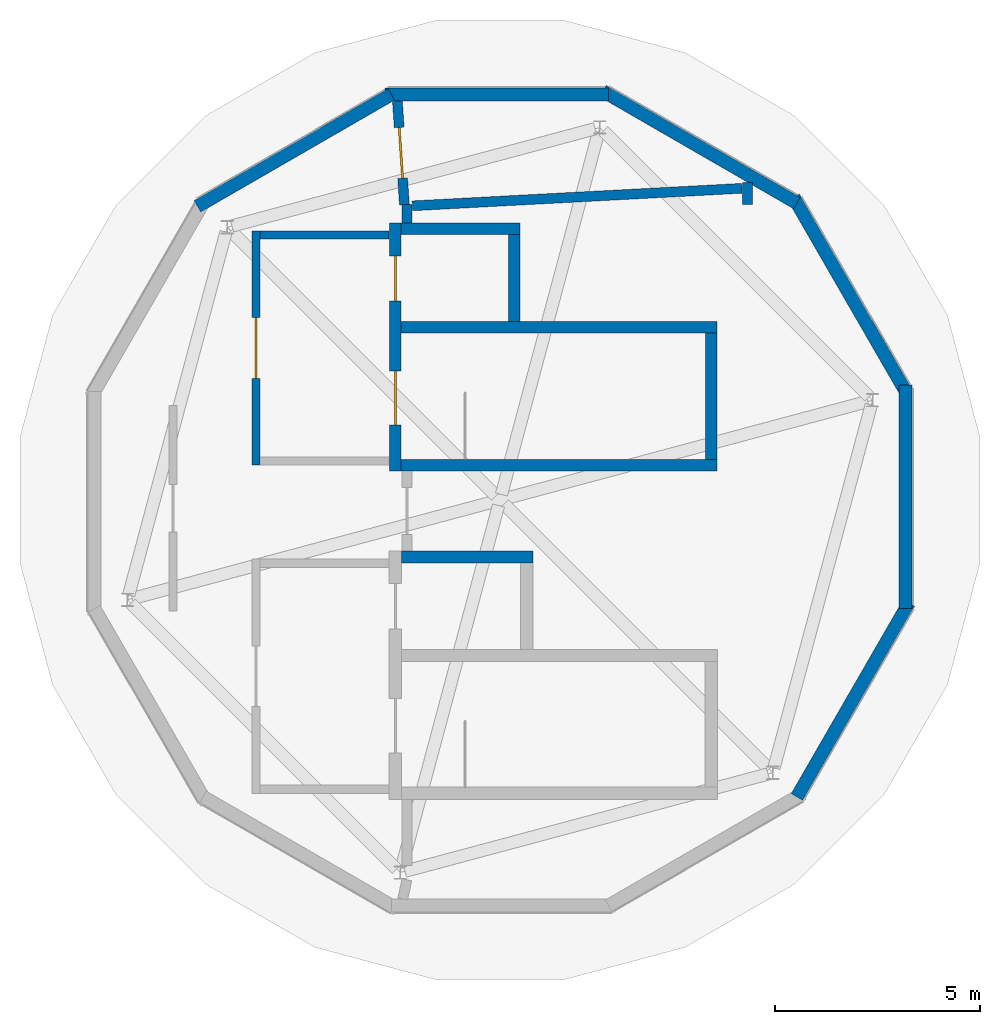
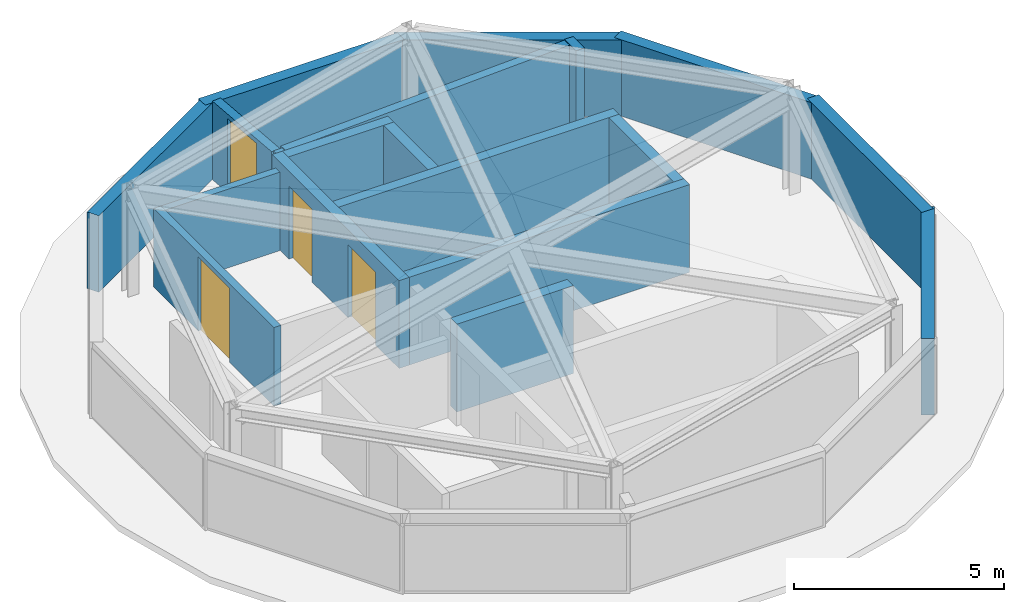
# One storey, part 2 of 3: 19 walls, 4 doors, 4 openings.
"""IFC4 building model written with IfcOpenShell, lengths in metres."""

from ifc_helpers import new_model, si_unit, direction, frame, frame_2d, origin, place, context, subcontext, project, spatial, rectangle, extrude, material, layer, layer_set, type_object, element, fill, save


model = new_model("IFC4")

# Units and contexts
model_context = context("Model", 3, precision=1e-05, world=origin(), true_north=direction((0.0, 1.0)))
body_context = subcontext(model_context, "Body", "Model", "MODEL_VIEW")
ifc_project = project(units=[si_unit("LENGTHUNIT", "METRE"), si_unit("AREAUNIT", "SQUARE_METRE"), si_unit("VOLUMEUNIT", "CUBIC_METRE"), si_unit("PLANEANGLEUNIT", "RADIAN"), si_unit("MASSUNIT", "GRAM", prefix="KILO")], contexts=[model_context])

# Site, building, storey
site_placement = place(None, origin())
site = spatial("IfcSite", under=ifc_project, at=site_placement, CompositionType="ELEMENT")
building_placement = place(site_placement, origin())
building = spatial("IfcBuilding", under=site, at=building_placement, Name="Varnklinge Art Gallery", CompositionType="ELEMENT")
storey_placement = place(building_placement, frame((0.0, 0.0, 25.800048828125)))
storey = spatial("IfcBuildingStorey", under=building, at=storey_placement, Name="Roof", CompositionType="ELEMENT", Elevation=25.800048828125)

# Walls
ifc_material_1 = material(Name="Precast concrete C40/50", Category="concrete")
ifc_layer_1 = layer(ifc_material_1, 0.320068359375)
ifc_layer_set_1 = layer_set([ifc_layer_1], Name="Precast concrete C40/50")
wall_type_1 = type_object("IfcWallType", Name="EW-32", PredefinedType="SOLIDWALL", material=ifc_layer_set_1)
wall_1_placement = place(storey_placement, frame((85.385498046875, 41.308837890625, 0.0), z_axis=(0.0, 0.0, 1.0), x_axis=(0.0, -1.0, 0.0)))
element("IfcWall", 1, at=wall_1_placement, inside=storey, type_object=wall_type_1, Name="Roof Exterior Wall EW-V4D-Roof-01", PredefinedType="SOLIDWALL", context=body_context, shape_type="SweptSolid", body=[
    extrude(rectangle(XDim=5.45751953125, YDim=0.320068359375, at=frame_2d((2.728759765625, 0.0))), origin(), (0.0, 0.0, 1.0), 2.219970703125),
])
wall_2_placement = place(storey_placement, frame((85.465576171875, 35.98974609375, 0.0), z_axis=(0.0, 0.0, 1.0), x_axis=(-0.499983184303, -0.866035112114, 0.0)))
element("IfcWall", 2, at=wall_2_placement, inside=storey, type_object=wall_type_1, Name="Roof Exterior Wall EW-V4D-Roof-02", PredefinedType="SOLIDWALL", context=body_context, shape_type="SweptSolid", body=[
    extrude(rectangle(XDim=5.457763671875, YDim=0.320068359375, at=frame_2d((2.72900390625, 0.0))), origin(), (0.0, 0.0, 1.0), 2.219970703125),
])
wall_3_placement = place(storey_placement, frame((68.12451171875, 45.65673828125, 0.0), z_axis=(0.0, 0.0, 1.0), x_axis=(0.866046294017, 0.49996381531, 0.0)))
element("IfcWall", 3, at=wall_3_placement, inside=storey, type_object=wall_type_1, Name="Roof Exterior Wall EW-V4D-Roof-09", PredefinedType="SOLIDWALL", context=body_context, shape_type="SweptSolid", body=[
    extrude(rectangle(XDim=5.4580078125, YDim=0.320068359375, at=frame_2d((2.72900390625, 0.0))), origin(), (0.0, 0.0, 1.0), 2.219970703125),
])
wall_4_placement = place(storey_placement, frame((72.691162109375, 48.385498046875, 0.0), z_axis=(0.0, 0.0, 1.0), x_axis=(1.0, 0.0, 0.0)))
element("IfcWall", 4, at=wall_4_placement, inside=storey, type_object=wall_type_1, Name="Roof Exterior Wall EW-V4D-Roof-10", PredefinedType="SOLIDWALL", context=body_context, shape_type="SweptSolid", body=[
    extrude(rectangle(XDim=5.45751953125, YDim=0.320068359375, at=frame_2d((2.728759765625, 0.0))), origin(), (0.0, 0.0, 1.0), 2.219970703125),
])
wall_5_placement = place(storey_placement, frame((78.01025390625, 48.465576171875, 0.0), z_axis=(0.0, 0.0, 1.0), x_axis=(0.866035112114, -0.499983184303, 0.0)))
element("IfcWall", 5, at=wall_5_placement, inside=storey, type_object=wall_type_1, Name="Roof Exterior Wall EW-V4D-Roof-11", PredefinedType="SOLIDWALL", context=body_context, shape_type="SweptSolid", body=[
    extrude(rectangle(XDim=5.457763671875, YDim=0.320068359375, at=frame_2d((2.72900390625, 0.0))), origin(), (0.0, 0.0, 1.0), 2.219970703125),
])
wall_6_placement = place(storey_placement, frame((82.65673828125, 45.87548828125, 0.0), z_axis=(0.0, 0.0, 1.0), x_axis=(0.49996381531, -0.866046294017, 0.0)))
element("IfcWall", 6, at=wall_6_placement, inside=storey, type_object=wall_type_1, Name="Roof Exterior Wall EW-V4D-Roof-12", PredefinedType="SOLIDWALL", context=body_context, shape_type="SweptSolid", body=[
    extrude(rectangle(XDim=5.4580078125, YDim=0.320068359375, at=frame_2d((2.72900390625, 0.0))), origin(), (0.0, 0.0, 1.0), 2.219970703125),
])
ifc_material_2 = material(Name="Concrete C40/50", Category="concrete")
ifc_layer_2 = layer(ifc_material_2, 0.199951171875)
ifc_layer_set_2 = layer_set([ifc_layer_2], Name="Concrete C40/50")
wall_type_2 = type_object("IfcWallType", Name="IW-20", PredefinedType="PARTITIONING", material=ifc_layer_set_2)
wall_7_placement = place(storey_placement, frame((72.800048828125, 44.9599609375, 0.0), z_axis=(0.0, 0.0, 1.0), x_axis=(-1.0, 0.0, 0.0)))
element("IfcWall", 7, at=wall_7_placement, inside=storey, type_object=wall_type_2, Name="Roof Core C2 Lobby North Wall", PredefinedType="PARTITIONING", context=body_context, shape_type="SweptSolid", body=[
    extrude(rectangle(XDim=3.150146484375, YDim=0.199951171875, at=frame_2d((1.5751953125, 0.0))), origin(), (0.0, 0.0, 1.0), 2.280029296875),
])

# Wall, opening, door
wall_8_placement = place(storey_placement, frame((69.550048828125, 39.35009765625, 0.0), z_axis=(0.0, 0.0, 1.0), x_axis=(0.0, 1.0, 0.0)))
wall_8 = element("IfcWall", 8, at=wall_8_placement, inside=storey, type_object=wall_type_2, Name="Roof Core C2 Lobby Corridor Wall", PredefinedType="PARTITIONING", context=body_context, shape_type="SweptSolid", body=[
    extrude(rectangle(XDim=5.7099609375, YDim=0.199951171875, at=frame_2d((2.85498046875, 0.0))), origin(), (0.0, 0.0, 1.0), 2.280029296875),
])
opening_1_placement = place(wall_8_placement, frame((2.114990234375, 0.0, 0.0)))
opening_1 = element("IfcOpeningElement", 9, at=opening_1_placement, cuts=wall_8, Name="Opening D-Roof-048", PredefinedType="OPENING", context=body_context, shape_type="SweptSolid", body=[
    extrude(rectangle(XDim=1.47998046875, YDim=2.14990234375, at=frame_2d((0.739990234375, 1.074951171875))), frame((0.0, 0.110107421875, 0.0), z_axis=(0.0, -1.0, 0.0), x_axis=(1.0, 0.0, 0.0)), (0.0, 0.0, 1.0), 0.219970703125),
])
ifc_material_3 = material(Name="Galvanised Fire-Rated Steel", Category="steel")
door_type_1 = type_object("IfcDoorType", Name="ID-LB1", OperationType="DOUBLE_DOOR_SINGLE_SWING", PredefinedType="DOOR", material=ifc_material_3)
door_1_placement = place(opening_1_placement, origin())
door_1 = element("IfcDoor", 10, at=door_1_placement, inside=storey, type_object=door_type_1, Name="Roof Core C2 Protected Lobby Door D-Roof-048", OperationType="DOUBLE_DOOR_SINGLE_SWING", OverallHeight=2.14990234375, OverallWidth=1.47998046875, PredefinedType="DOOR", context=body_context, shape_type="SweptSolid", body=[
    extrude(rectangle(XDim=1.47998046875, YDim=2.14990234375, at=frame_2d((0.739990234375, 1.074951171875))), frame((0.0, 0.02490234375, 0.0), z_axis=(0.0, -1.0, 0.0), x_axis=(1.0, 0.0, 0.0)), (0.0, 0.0, 1.0), 0.050048828125),
])
fill(opening_1, door_1)

ifc_material_4 = material(Name="Concrete C40/50", Category="concrete")
ifc_layer_3 = layer(ifc_material_4, 0.239990234375)
ifc_layer_set_3 = layer_set([ifc_layer_3], Name="Concrete C40/50")
wall_type_3 = type_object("IfcWallType", Name="IW-24", PredefinedType="PARTITIONING", material=ifc_layer_set_3)
wall_9_placement = place(storey_placement, frame((73.169921875, 45.699951171875, 0.0), z_axis=(0.0, 0.0, 1.0), x_axis=(-0.06742295378, 0.997724483664, 0.0)))
wall_9 = element("IfcWall", 11, at=wall_9_placement, inside=storey, type_object=wall_type_3, Name="Roof Partition Wall IW-Roof-0394", PredefinedType="PARTITIONING", context=body_context, shape_type="SweptSolid", body=[
    extrude(rectangle(XDim=2.527587890625, YDim=0.239990234375, at=frame_2d((1.263671875, 0.0))), origin(), (0.0, 0.0, 1.0), 2.280029296875),
])
opening_2_placement = place(wall_9_placement, frame((0.643798828125, 0.0, 0.0)))
opening_2 = element("IfcOpeningElement", 12, at=opening_2_placement, cuts=wall_9, Name="Opening D-Roof-277", PredefinedType="OPENING", context=body_context, shape_type="SweptSolid", body=[
    extrude(rectangle(XDim=1.239990234375, YDim=2.14990234375, at=frame_2d((0.6201171875, 1.074951171875))), frame((0.0, 0.130126953125, 0.0), z_axis=(0.0, -1.0, 0.0), x_axis=(1.0, 0.0, 0.0)), (0.0, 0.0, 1.0), 0.260009765625),
])
ifc_material_5 = material(Name="Galvanised Fire-Rated Steel", Category="steel")
door_type_2 = type_object("IfcDoorType", Name="ID-06", OperationType="SINGLE_SWING_RIGHT", PredefinedType="DOOR", material=ifc_material_5)
door_2_placement = place(opening_2_placement, origin())
door_2 = element("IfcDoor", 13, at=door_2_placement, inside=storey, type_object=door_type_2, Name="Roof Roof Environmental Telemetry Plant Room Door D-Roof-277", OperationType="SINGLE_SWING_LEFT", OverallHeight=2.14990234375, OverallWidth=1.239990234375, PredefinedType="DOOR", context=body_context, shape_type="SweptSolid", body=[
    extrude(rectangle(XDim=1.239990234375, YDim=2.14990234375, at=frame_2d((0.6201171875, 1.074951171875))), frame((0.0, 0.02490234375, 0.0), z_axis=(0.0, -1.0, 0.0), x_axis=(1.0, 0.0, 0.0)), (0.0, 0.0, 1.0), 0.050048828125),
])
fill(opening_2, door_2)

# Walls
wall_10_placement = place(storey_placement, frame((73.22998046875, 45.7041015625, 0.0), z_axis=(0.0, 0.0, 1.0), x_axis=(0.0, -1.0, 0.0)))
element("IfcWall", 14, at=wall_10_placement, inside=storey, type_object=wall_type_3, Name="Roof Partition Wall IW-Roof-0398", PredefinedType="PARTITIONING", context=body_context, shape_type="SweptSolid", body=[
    extrude(rectangle(XDim=0.4501953125, YDim=0.239990234375, at=frame_2d((0.22509765625, 0.0))), origin(), (0.0, 0.0, 1.0), 2.280029296875),
])
wall_11_placement = place(storey_placement, frame((81.530029296875, 46.244140625, 0.0), z_axis=(0.0, 0.0, 1.0), x_axis=(0.0, -1.0, 0.0)))
element("IfcWall", 15, at=wall_11_placement, inside=storey, type_object=wall_type_3, Name="Roof Partition Wall IW-Roof-0399", PredefinedType="PARTITIONING", context=body_context, shape_type="SweptSolid", body=[
    extrude(rectangle(XDim=0.544189453125, YDim=0.239990234375, at=frame_2d((0.27197265625, 0.0))), origin(), (0.0, 0.0, 1.0), 2.280029296875),
])
wall_12_placement = place(storey_placement, frame((81.39501953125, 46.096435546875, 0.0), z_axis=(0.0, 0.0, 1.0), x_axis=(-0.998592384871, -0.053040068601, 0.0)))
element("IfcWall", 16, at=wall_12_placement, inside=storey, type_object=wall_type_3, Name="Roof Partition Wall IW-Roof-0400", PredefinedType="PARTITIONING", context=body_context, shape_type="SweptSolid", body=[
    extrude(rectangle(XDim=8.041259765625, YDim=0.239990234375, at=frame_2d((4.0205078125, 0.0))), origin(), (0.0, 0.0, 1.0), 2.280029296875),
])
ifc_material_6 = material(Name="Concrete C40/50", Category="concrete")
ifc_layer_4 = layer(ifc_material_6, 0.280029296875)
ifc_layer_set_4 = layer_set([ifc_layer_4], Name="Concrete C40/50")
wall_type_4 = type_object("IfcWallType", Name="SW-28", PredefinedType="SHEAR", material=ifc_layer_set_4)
wall_13_placement = place(storey_placement, frame((73.090087890625, 39.35009765625, 0.0), z_axis=(0.0, 0.0, 1.0), x_axis=(1.0, 0.0, 0.0)))
element("IfcWall", 17, at=wall_13_placement, inside=storey, type_object=wall_type_4, Name="Roof Core C2 South Shear Wall", PredefinedType="SHEAR", context=body_context, shape_type="SweptSolid", body=[
    extrude(rectangle(XDim=7.699951171875, YDim=0.280029296875, at=frame_2d((3.85009765625, 0.0))), origin(), (0.0, 0.0, 1.0), 2.550048828125),
])
wall_14_placement = place(storey_placement, frame((80.64990234375, 39.489990234375, 0.0), z_axis=(0.0, 0.0, 1.0), x_axis=(0.0, 1.0, 0.0)))
element("IfcWall", 18, at=wall_14_placement, inside=storey, type_object=wall_type_4, Name="Roof Core C2 East Shear Wall", PredefinedType="SHEAR", context=body_context, shape_type="SweptSolid", body=[
    extrude(rectangle(XDim=3.080078125, YDim=0.280029296875, at=frame_2d((1.5400390625, 0.0))), origin(), (0.0, 0.0, 1.0), 2.550048828125),
])
wall_15_placement = place(storey_placement, frame((80.7900390625, 42.7099609375, 0.0), z_axis=(0.0, 0.0, 1.0), x_axis=(-1.0, 0.0, 0.0)))
element("IfcWall", 19, at=wall_15_placement, inside=storey, type_object=wall_type_4, Name="Roof Core C2 Dividing Shear Wall", PredefinedType="SHEAR", context=body_context, shape_type="SweptSolid", body=[
    extrude(rectangle(XDim=7.699951171875, YDim=0.280029296875, at=frame_2d((3.85009765625, 0.0))), origin(), (0.0, 0.0, 1.0), 2.550048828125),
])
wall_16_placement = place(storey_placement, frame((75.85009765625, 42.85009765625, 0.0), z_axis=(0.0, 0.0, 1.0), x_axis=(0.0, 1.0, 0.0)))
element("IfcWall", 20, at=wall_16_placement, inside=storey, type_object=wall_type_4, Name="Roof Core C2 Lift East Shear Wall", PredefinedType="SHEAR", context=body_context, shape_type="SweptSolid", body=[
    extrude(rectangle(XDim=2.119873046875, YDim=0.280029296875, at=frame_2d((1.06005859375, 0.0))), origin(), (0.0, 0.0, 1.0), 2.550048828125),
])
wall_17_placement = place(storey_placement, frame((75.989990234375, 45.110107421875, 0.0), z_axis=(0.0, 0.0, 1.0), x_axis=(-1.0, 0.0, 0.0)))
element("IfcWall", 21, at=wall_17_placement, inside=storey, type_object=wall_type_4, Name="Roof Core C2 Lift North Shear Wall", PredefinedType="SHEAR", context=body_context, shape_type="SweptSolid", body=[
    extrude(rectangle(XDim=2.89990234375, YDim=0.280029296875, at=frame_2d((1.449951171875, 0.0))), origin(), (0.0, 0.0, 1.0), 2.550048828125),
])

# Wall, openings, doors
wall_18_placement = place(storey_placement, frame((72.949951171875, 45.25, 0.0), z_axis=(0.0, 0.0, 1.0), x_axis=(0.0, -1.0, 0.0)))
wall_18 = element("IfcWall", 22, at=wall_18_placement, inside=storey, type_object=wall_type_4, Name="Roof Core C2 Front Shear Wall", PredefinedType="SHEAR", context=body_context, shape_type="SweptSolid", body=[
    extrude(rectangle(XDim=6.0400390625, YDim=0.280029296875, at=frame_2d((3.02001953125, 0.0))), origin(), (0.0, 0.0, 1.0), 2.550048828125),
])
opening_3_placement = place(wall_18_placement, frame((0.800048828125, 0.0, 0.0)))
opening_3 = element("IfcOpeningElement", 23, at=opening_3_placement, cuts=wall_18, Name="Opening LD-Roof-046", PredefinedType="OPENING", context=body_context, shape_type="SweptSolid", body=[
    extrude(rectangle(XDim=1.10009765625, YDim=2.1201171875, at=frame_2d((0.550048828125, 1.06005859375))), frame((0.0, 0.150146484375, 0.0), z_axis=(0.0, -1.0, 0.0), x_axis=(1.0, 0.0, 0.0)), (0.0, 0.0, 1.0), 0.300048828125),
])
opening_4_placement = place(wall_18_placement, frame((3.60009765625, 0.0, 0.0)))
opening_4 = element("IfcOpeningElement", 24, at=opening_4_placement, cuts=wall_18, Name="Opening D-Roof-047", PredefinedType="OPENING", context=body_context, shape_type="SweptSolid", body=[
    extrude(rectangle(XDim=1.320068359375, YDim=2.1201171875, at=frame_2d((0.66015625, 1.06005859375))), frame((0.0, 0.150146484375, 0.0), z_axis=(0.0, -1.0, 0.0), x_axis=(1.0, 0.0, 0.0)), (0.0, 0.0, 1.0), 0.300048828125),
])
ifc_material_7 = material(Name="Galvanised Fire-Rated Steel", Category="steel")
door_type_3 = type_object("IfcDoorType", Name="ID-ST1", OperationType="SINGLE_SWING_LEFT", PredefinedType="DOOR", material=ifc_material_7)
door_3_placement = place(opening_4_placement, origin())
door_3 = element("IfcDoor", 25, at=door_3_placement, inside=storey, type_object=door_type_3, Name="Roof Stair ST-02 Fire Door D-Roof-047", OperationType="SINGLE_SWING_RIGHT", OverallHeight=2.1201171875, OverallWidth=1.320068359375, PredefinedType="DOOR", context=body_context, shape_type="SweptSolid", body=[
    extrude(rectangle(XDim=1.320068359375, YDim=2.1201171875, at=frame_2d((0.66015625, 1.06005859375))), frame((0.0, 0.02490234375, 0.0), z_axis=(0.0, -1.0, 0.0), x_axis=(1.0, 0.0, 0.0)), (0.0, 0.0, 1.0), 0.050048828125),
])
fill(opening_4, door_3)
ifc_material_8 = material(Name="Anodised Aluminium", Category="aluminium")
door_type_4 = type_object("IfcDoorType", Name="LD-PAX", OperationType="SLIDING_TO_LEFT", PredefinedType="DOOR", material=ifc_material_8)
door_4_placement = place(opening_3_placement, origin())
door_4 = element("IfcDoor", 26, at=door_4_placement, inside=storey, type_object=door_type_4, Name="Roof LF-02 Sliding Landing Door LD-Roof-046", OperationType="SLIDING_TO_LEFT", OverallHeight=2.1201171875, OverallWidth=1.10009765625, PredefinedType="DOOR", context=body_context, shape_type="SweptSolid", body=[
    extrude(rectangle(XDim=1.10009765625, YDim=2.1201171875, at=frame_2d((0.550048828125, 1.06005859375))), frame((0.0, 0.02490234375, 0.0), z_axis=(0.0, -1.0, 0.0), x_axis=(1.0, 0.0, 0.0)), (0.0, 0.0, 1.0), 0.050048828125),
])
fill(opening_3, door_4)

# Wall
ifc_material_9 = material(Name="Concrete C40/50", Category="concrete")
ifc_layer_5 = layer(ifc_material_9, 0.300048828125)
ifc_layer_set_5 = layer_set([ifc_layer_5], Name="Concrete C40/50")
wall_type_5 = type_object("IfcWallType", Name="SW-30", PredefinedType="SHEAR", material=ifc_layer_set_5)
wall_19_placement = place(storey_placement, frame((76.300048828125, 37.110107421875, 0.0), z_axis=(0.0, 0.0, 1.0), x_axis=(-1.0, 0.0, 0.0)))
element("IfcWall", 27, at=wall_19_placement, inside=storey, type_object=wall_type_5, Name="Roof Core C1 Lift North Shear Wall", PredefinedType="SHEAR", context=body_context, shape_type="SweptSolid", body=[
    extrude(rectangle(XDim=3.199951171875, YDim=0.300048828125, at=frame_2d((1.60009765625, 0.0))), origin(), (0.0, 0.0, 1.0), 2.550048828125),
])

save(model, "model.ifc")
